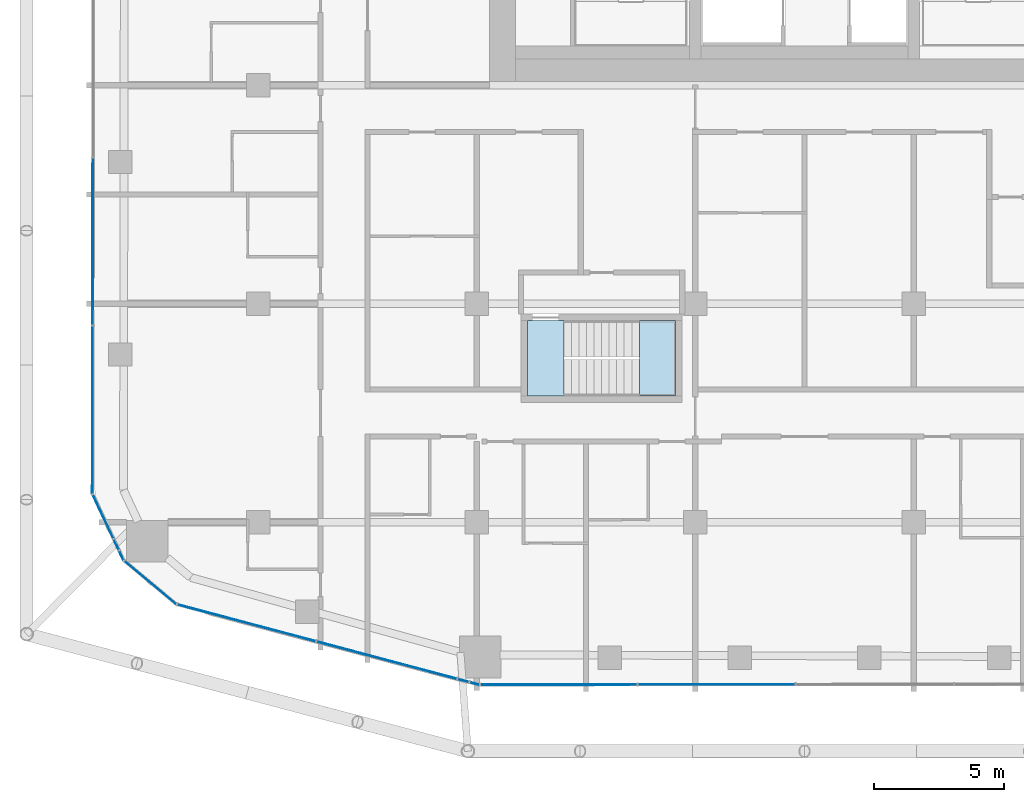
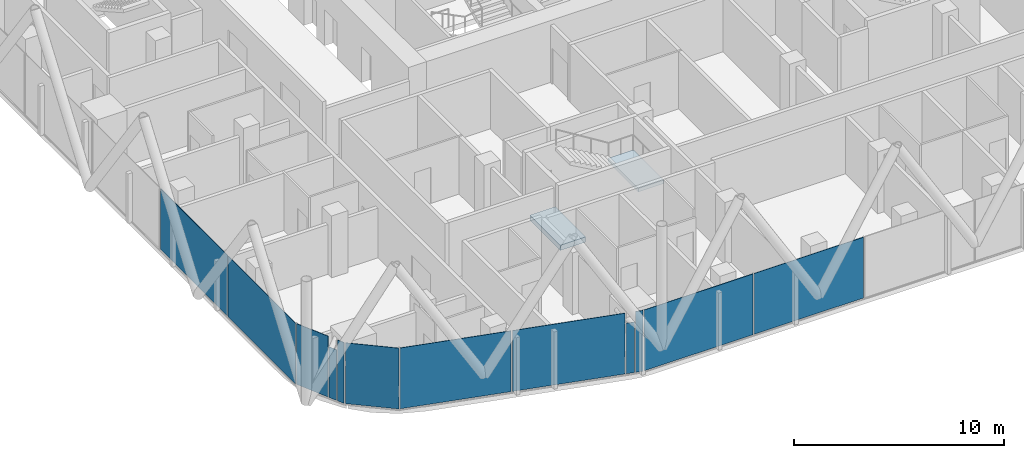
# One storey, part 18 of 33: 12 plates, 2 slabs, 10 elements without a shape of their own.
"""IFC4 building model written with IfcOpenShell, lengths in metres."""

from ifc_helpers import new_model, si_unit, direction, frame, origin, origin_2d, place, context, subcontext, project, spatial, polyline, rectangle, outline, extrude, material, layer, layer_set, type_object, element, aggregate, save


model = new_model("IFC4")

# Units and contexts
model_context = context("Model", 3, precision=1e-05, world=origin(), true_north=direction((0.0, 1.0)))
body_context = subcontext(model_context, "Body", "Model", "MODEL_VIEW")
ifc_project = project(units=[si_unit("LENGTHUNIT", "METRE"), si_unit("AREAUNIT", "SQUARE_METRE"), si_unit("VOLUMEUNIT", "CUBIC_METRE"), si_unit("PLANEANGLEUNIT", "RADIAN"), si_unit("MASSUNIT", "GRAM", prefix="KILO")], contexts=[model_context])

# Site, building, storey
site_placement = place(None, origin())
site = spatial("IfcSite", under=ifc_project, at=site_placement, CompositionType="ELEMENT")
building_placement = place(site_placement, origin())
building = spatial("IfcBuilding", under=site, at=building_placement, Name="Marenta Gate Hotel Tower", CompositionType="ELEMENT")
storey_placement = place(building_placement, frame((0.0, 0.0, 122.89990234375)))
storey = spatial("IfcBuildingStorey", under=building, at=storey_placement, Name="L27", CompositionType="ELEMENT", Elevation=122.89990234375)

# Curtain wall, plates
ifc_material_1 = material(Name="Tinted insulated glass in bronze anodised frame", Category="glass")
ifc_layer_1 = layer(ifc_material_1, 0.1201171875)
ifc_layer_set_1 = layer_set([ifc_layer_1], Name="Tinted insulated glass in bronze anodised frame")
curtain_wall_type = type_object("IfcCurtainWallType", Name="Tower unitised curtain wall CW1", PredefinedType="NOTDEFINED", material=ifc_layer_set_1)
curtain_wall_1_placement = place(storey_placement, origin())
curtain_wall_1 = element("IfcCurtainWall", 1, at=curtain_wall_1_placement, inside=storey, type_object=curtain_wall_type, Name="CW1 run G04", PredefinedType="NOTDEFINED")
ifc_material_2 = material(Name="Tinted insulated glass", Category="glass")
ifc_layer_2 = layer(ifc_material_2, 0.028076171875)
ifc_layer_set_2 = layer_set([ifc_layer_2], Name="Tinted insulated glass")
plate_type = type_object("IfcPlateType", Name="Glass panel CW1 28 mm tinted insulated unit", PredefinedType="CURTAIN_PANEL", material=ifc_layer_set_2)
plate_1_placement = place(storey_placement, frame((-27.35791015625, -6.00390625, 0.06005859375), z_axis=(0.0, 0.0, 1.0), x_axis=(-0.001566045546, -0.99999877375, 0.0)))
plate_1 = element("IfcPlate", 2, at=plate_1_placement, type_object=plate_type, Name="CW1 panel 5.1", PredefinedType="CURTAIN_PANEL", context=body_context, shape_type="SweptSolid", body=[
    extrude(rectangle(XDim=6.39990234375, YDim=0.028076171875, at=origin_2d()), origin(), (0.0, 0.0, 1.0), 3.5400390625),
])
plate_2_placement = place(storey_placement, frame((-27.367919921875, -12.478759765625, 0.06005859375), z_axis=(0.0, 0.0, 1.0), x_axis=(-0.001566045546, -0.99999877375, 0.0)))
plate_2 = element("IfcPlate", 3, at=plate_2_placement, type_object=plate_type, Name="CW1 panel 6.1", PredefinedType="CURTAIN_PANEL", context=body_context, shape_type="SweptSolid", body=[
    extrude(rectangle(XDim=6.429931640625, YDim=0.028076171875, at=origin_2d()), origin(), (0.0, 0.0, 1.0), 3.5400390625),
])
aggregate(curtain_wall_1, [plate_1, plate_2])

# Curtain wall, plate
curtain_wall_2_placement = place(storey_placement, origin())
curtain_wall_2 = element("IfcCurtainWall", 4, at=curtain_wall_2_placement, inside=storey, type_object=curtain_wall_type, Name="CW1 run G05", PredefinedType="NOTDEFINED")
plate_3_placement = place(storey_placement, frame((-26.95849609375, -16.580810546875, 0.06005859375), z_axis=(0.0, 0.0, 1.0), x_axis=(0.423346909938, -0.90596765607, 0.0)))
plate_3 = element("IfcPlate", 5, at=plate_3_placement, type_object=plate_type, Name="CW1 panel 1.1", PredefinedType="CURTAIN_PANEL", context=body_context, shape_type="SweptSolid", body=[
    extrude(rectangle(XDim=1.837890625, YDim=0.028076171875, at=origin_2d()), origin(), (0.0, 0.0, 1.0), 3.5400390625),
])
aggregate(curtain_wall_2, [plate_3])

curtain_wall_3_placement = place(storey_placement, origin())
curtain_wall_3 = element("IfcCurtainWall", 6, at=curtain_wall_3_placement, inside=storey, type_object=curtain_wall_type, Name="CW1 run G06", PredefinedType="NOTDEFINED")
plate_4_placement = place(storey_placement, frame((-26.45458984375, -17.6591796875, 0.060302734375), z_axis=(0.0, 0.0, 1.0), x_axis=(0.423361641148, -0.905960772222, 0.0)))
plate_4 = element("IfcPlate", 7, at=plate_4_placement, type_object=plate_type, Name="CW1 panel 1.1", PredefinedType="CURTAIN_PANEL", context=body_context, shape_type="SweptSolid", body=[
    extrude(rectangle(XDim=0.4228515625, YDim=0.028076171875, at=origin_2d()), origin(), (0.0, 0.0, 1.0), 2.9404296875),
])
aggregate(curtain_wall_3, [plate_4])

curtain_wall_4_placement = place(storey_placement, origin())
curtain_wall_4 = element("IfcCurtainWall", 8, at=curtain_wall_4_placement, inside=storey, type_object=curtain_wall_type, Name="CW1 run G07", PredefinedType="NOTDEFINED")
plate_5_placement = place(storey_placement, frame((-26.25732421875, -18.081298828125, 0.06005859375), z_axis=(0.0, 0.0, 1.0), x_axis=(0.42327548639, -0.906001027936, 0.0)))
plate_5 = element("IfcPlate", 9, at=plate_5_placement, type_object=plate_type, Name="CW1 panel 1.1", PredefinedType="CURTAIN_PANEL", context=body_context, shape_type="SweptSolid", body=[
    extrude(rectangle(XDim=0.38916015625, YDim=0.028076171875, at=origin_2d()), origin(), (0.0, 0.0, 1.0), 3.5400390625),
])
aggregate(curtain_wall_4, [plate_5])

curtain_wall_5_placement = place(storey_placement, origin())
curtain_wall_5 = element("IfcCurtainWall", 10, at=curtain_wall_5_placement, inside=storey, type_object=curtain_wall_type, Name="CW1 run G08", PredefinedType="NOTDEFINED")
plate_6_placement = place(storey_placement, frame((-25.14111328125, -19.1220703125, 0.06005859375), z_axis=(0.0, 0.0, 1.0), x_axis=(0.767112858807, -0.641512168126, 0.0)))
plate_6 = element("IfcPlate", 11, at=plate_6_placement, type_object=plate_type, Name="CW1 panel 1.1", PredefinedType="CURTAIN_PANEL", context=body_context, shape_type="SweptSolid", body=[
    extrude(rectangle(XDim=2.5751953125, YDim=0.028076171875, at=origin_2d()), origin(), (0.0, 0.0, 1.0), 3.5400390625),
])
aggregate(curtain_wall_5, [plate_6])

# Curtain wall, plates
curtain_wall_6_placement = place(storey_placement, origin())
curtain_wall_6 = element("IfcCurtainWall", 12, at=curtain_wall_6_placement, inside=storey, type_object=curtain_wall_type, Name="CW1 run G09", PredefinedType="NOTDEFINED")
plate_7_placement = place(storey_placement, frame((-21.44482421875, -20.6689453125, 0.06005859375), z_axis=(0.0, 0.0, 1.0), x_axis=(0.966373224743, -0.257143521209, 0.0)))
plate_7 = element("IfcPlate", 13, at=plate_7_placement, type_object=plate_type, Name="CW1 panel 1.1", PredefinedType="CURTAIN_PANEL", context=body_context, shape_type="SweptSolid", body=[
    extrude(rectangle(XDim=5.485595703125, YDim=0.028076171875, at=origin_2d()), origin(), (0.0, 0.0, 1.0), 3.5400390625),
])
plate_8_placement = place(storey_placement, frame((-16.056884765625, -22.1025390625, 0.06005859375), z_axis=(0.0, 0.0, 1.0), x_axis=(0.966373224743, -0.257143521209, 0.0)))
plate_8 = element("IfcPlate", 14, at=plate_8_placement, type_object=plate_type, Name="CW1 panel 2.1", PredefinedType="CURTAIN_PANEL", context=body_context, shape_type="SweptSolid", body=[
    extrude(rectangle(XDim=5.54541015625, YDim=0.028076171875, at=origin_2d()), origin(), (0.0, 0.0, 1.0), 3.5400390625),
])
aggregate(curtain_wall_6, [plate_7, plate_8])

# Curtain wall, plate
curtain_wall_7_placement = place(storey_placement, origin())
curtain_wall_7 = element("IfcCurtainWall", 15, at=curtain_wall_7_placement, inside=storey, type_object=curtain_wall_type, Name="CW1 run G10", PredefinedType="NOTDEFINED")
plate_9_placement = place(storey_placement, frame((-13.11669921875, -22.885009765625, 0.060302734375), z_axis=(0.0, 0.0, 1.0), x_axis=(0.966404263523, -0.257026845764, 0.0)))
plate_9 = element("IfcPlate", 16, at=plate_9_placement, type_object=plate_type, Name="CW1 panel 1.1", PredefinedType="CURTAIN_PANEL", context=body_context, shape_type="SweptSolid", body=[
    extrude(rectangle(XDim=0.419677734375, YDim=0.028076171875, at=origin_2d()), origin(), (0.0, 0.0, 1.0), 2.9404296875),
])
aggregate(curtain_wall_7, [plate_9])

curtain_wall_8_placement = place(storey_placement, origin())
curtain_wall_8 = element("IfcCurtainWall", 17, at=curtain_wall_8_placement, inside=storey, type_object=curtain_wall_type, Name="CW1 run G11", PredefinedType="NOTDEFINED")
plate_10_placement = place(storey_placement, frame((-12.680908203125, -23.0009765625, 0.06005859375), z_axis=(0.0, 0.0, 1.0), x_axis=(0.966337096576, -0.257279256414, 0.0)))
plate_10 = element("IfcPlate", 18, at=plate_10_placement, type_object=plate_type, Name="CW1 panel 1.1", PredefinedType="CURTAIN_PANEL", context=body_context, shape_type="SweptSolid", body=[
    extrude(rectangle(XDim=0.362060546875, YDim=0.028076171875, at=origin_2d()), origin(), (0.0, 0.0, 1.0), 3.5400390625),
])
aggregate(curtain_wall_8, [plate_10])

# Curtain wall, plates
curtain_wall_9_placement = place(storey_placement, origin())
curtain_wall_9 = element("IfcCurtainWall", 19, at=curtain_wall_9_placement, inside=storey, type_object=curtain_wall_type, Name="CW1 run G12", PredefinedType="NOTDEFINED")
plate_11_placement = place(storey_placement, frame((-9.449951171875, -23.043212890625, 0.06005859375), z_axis=(0.0, 0.0, 1.0), x_axis=(0.999999068791, 0.00136470383, 0.0)))
plate_11 = element("IfcPlate", 20, at=plate_11_placement, type_object=plate_type, Name="CW1 panel 1.1", PredefinedType="CURTAIN_PANEL", context=body_context, shape_type="SweptSolid", body=[
    extrude(rectangle(XDim=5.991943359375, YDim=0.028076171875, at=origin_2d()), origin(), (0.0, 0.0, 1.0), 3.5400390625),
])
plate_12_placement = place(storey_placement, frame((-3.383056640625, -23.03515625, 0.06005859375), z_axis=(0.0, 0.0, 1.0), x_axis=(0.999999068791, 0.00136470383, 0.0)))
plate_12 = element("IfcPlate", 21, at=plate_12_placement, type_object=plate_type, Name="CW1 panel 2.1", PredefinedType="CURTAIN_PANEL", context=body_context, shape_type="SweptSolid", body=[
    extrude(rectangle(XDim=6.02197265625, YDim=0.028076171875, at=origin_2d()), origin(), (0.0, 0.0, 1.0), 3.5400390625),
])
aggregate(curtain_wall_9, [plate_11, plate_12])

# Stair, slab
ifc_material_3 = material(Name="Concrete C40", Category="concrete")
stair_type = type_object("IfcStairType", Name="Remote exit stair 1400 wide", PredefinedType="HALF_TURN_STAIR", material=ifc_material_3)
stair_placement = place(storey_placement, origin())
stair = element("IfcStair", 22, at=stair_placement, inside=storey, type_object=stair_type, Name="Exit stair RS-Z2-1", PredefinedType="HALF_TURN_STAIR")
ifc_material_4 = material(Name="Concrete C40", Category="concrete")
ifc_layer_3 = layer(ifc_material_4, 0.199951171875)
ifc_layer_set_3 = layer_set([ifc_layer_3], Name="Concrete C40")
slab_type_1 = type_object("IfcSlabType", Name="Remote stair landing 200", PredefinedType="LANDING", material=ifc_layer_set_3)
slab_1_placement = place(storey_placement, frame((0.0, 0.0, 1.60009765625)))
slab_1 = element("IfcSlab", 23, at=slab_1_placement, type_object=slab_type_1, Name="RL-200 RS-Z2-1 landing 1", PredefinedType="LANDING", context=body_context, shape_type="SweptSolid", body=[
    extrude(outline(polyline([(-6.35009765625, -11.949951171875), (-4.949951171875, -11.949951171875), (-4.949951171875, -9.050048828125), (-6.35009765625, -9.050048828125), (-6.35009765625, -11.949951171875)])), origin(), (0.0, 0.0, 1.0), 0.199951171875),
])
aggregate(stair, [slab_1])

# Slab
ifc_material_5 = material(Name="Concrete C40", Category="concrete")
ifc_layer_4 = layer(ifc_material_5, 0.300048828125)
ifc_layer_set_4 = layer_set([ifc_layer_4], Name="Concrete C40")
slab_type_2 = type_object("IfcSlabType", Name="Stair floor landing slab 300", PredefinedType="FLOOR", material=ifc_layer_set_4)
slab_2_placement = place(storey_placement, frame((0.0, 0.0, -0.2998046875)))
element("IfcSlab", 24, at=slab_2_placement, inside=storey, type_object=slab_type_2, Name="L27-RS-Z2-1-CL", PredefinedType="FLOOR", context=body_context, shape_type="SweptSolid", body=[
    extrude(outline(polyline([(-9.25, -11.949951171875), (-9.25, -9.050048828125), (-10.64990234375, -9.050048828125), (-10.64990234375, -11.949951171875), (-9.25, -11.949951171875)])), origin(), (0.0, 0.0, 1.0), 0.2998046875),
])

save(model, "model.ifc")
